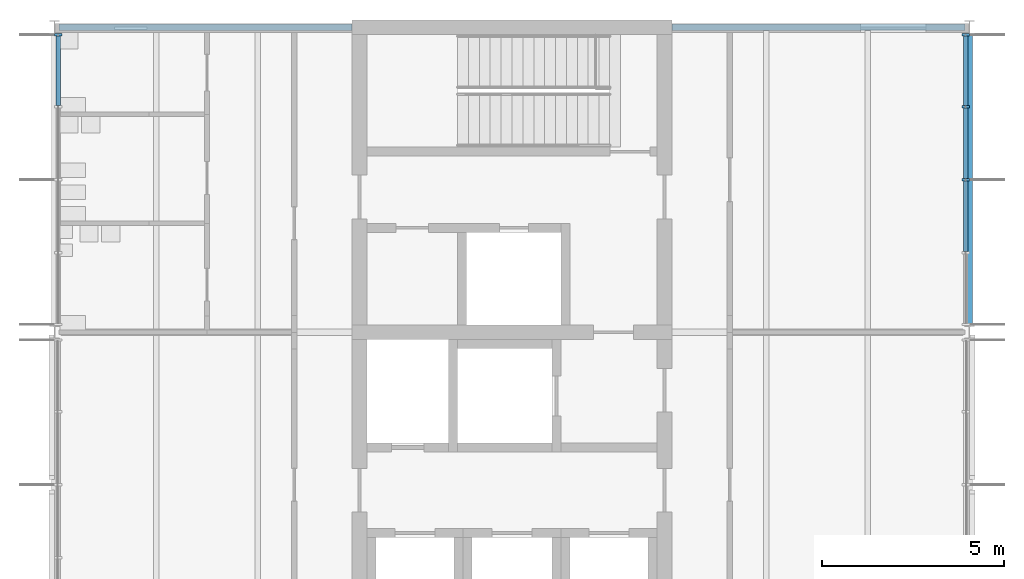
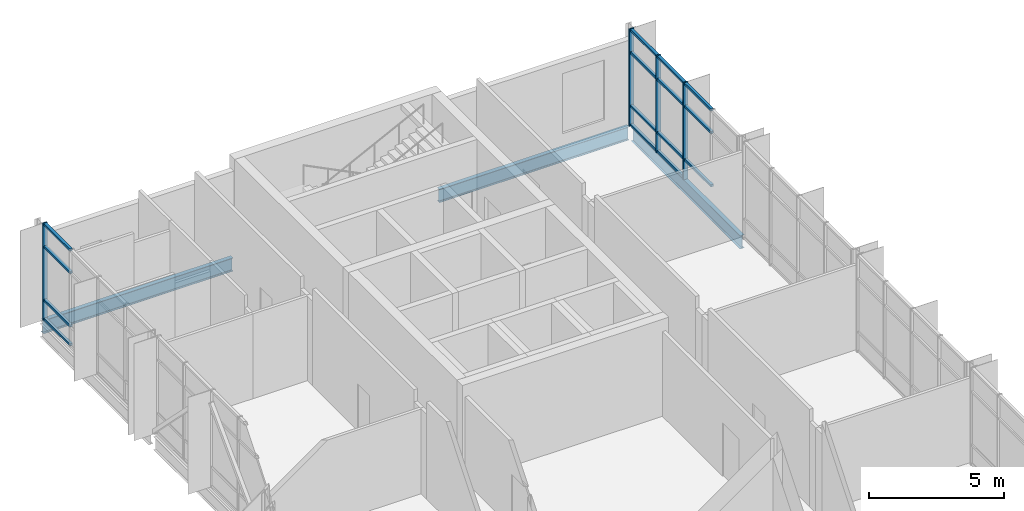
# One storey, part 6 of 17: 19 members, 3 beams, 2 elements without a shape of their own.
"""IFC4 building model written with IfcOpenShell, lengths in metres."""

from ifc_helpers import new_model, si_unit, direction, frame, origin, origin_2d, place, context, subcontext, project, spatial, rectangle, i_section, extrude, material, material_profile, profile_set, type_object, element, aggregate, save


model = new_model("IFC4")

# Units and contexts
model_context = context("Model", 3, precision=1e-05, world=origin(), true_north=direction((0.0, 1.0)))
body_context = subcontext(model_context, "Body", "Model", "MODEL_VIEW")
ifc_project = project(units=[si_unit("LENGTHUNIT", "METRE"), si_unit("AREAUNIT", "SQUARE_METRE"), si_unit("VOLUMEUNIT", "CUBIC_METRE"), si_unit("PLANEANGLEUNIT", "RADIAN"), si_unit("MASSUNIT", "GRAM", prefix="KILO")], contexts=[model_context])

# Site, building, storey
site_placement = place(None, origin())
site = spatial("IfcSite", under=ifc_project, at=site_placement, CompositionType="ELEMENT")
building_placement = place(site_placement, origin())
building = spatial("IfcBuilding", under=site, at=building_placement, Name="Hlaing Beacon Police Headquarters", CompositionType="ELEMENT")
storey_placement = place(building_placement, frame((0.0, 0.0, 36.89990234375)))
storey = spatial("IfcBuildingStorey", under=building, at=storey_placement, Name="L08", CompositionType="ELEMENT", Elevation=36.89990234375)

# Beams
ifc_material_1 = material(Name="Steel ASTM A992 Grade 50", Category="steel")
ifc_material_profile_1 = material_profile(ifc_material_1, i_section(OverallWidth=0.177978515625, OverallDepth=0.599365234375, WebThickness=0.010009765625, FlangeThickness=0.012939453125, FilletRadius=0.012939453125, at=origin_2d()), Name="W24x55")
ifc_profile_set_1 = profile_set([ifc_material_profile_1], Name="Steel ASTM A992 Grade 50")
beam_type = type_object("IfcBeamType", Name="Girder W24x55", PredefinedType="BEAM", material=ifc_profile_set_1)
for number, where, z_axis, x_axis, name in (
    (1, (100.927978515625, 67.199951171875, -0.4296875), (1.0, 0.0, 0.0), (0.0, 1.0, 0.0), "STR-BM-L08-GX-N9-P9"),
    (2, (117.800048828125, 67.199951171875, -0.4296875), (1.0, 0.0, 0.0), (0.0, 1.0, 0.0), "STR-BM-L08-GX-Q9-R9"),
):
    element("IfcBeam", number, at=place(storey_placement, frame(where, z_axis=z_axis, x_axis=x_axis)), inside=storey, type_object=beam_type, Name=name, PredefinedType="BEAM", context=body_context, shape_type="SweptSolid", body=[
        extrude(i_section(OverallWidth=0.177978515625, OverallDepth=0.599365234375, WebThickness=0.010009765625, FlangeThickness=0.012939453125, FilletRadius=0.012939453125, at=origin_2d()), origin(), (0.0, 0.0, 1.0), 8.072021484375),
    ])
beam_placement = place(storey_placement, frame((126.0, 58.97998046875, -0.4296875), z_axis=(0.0, 1.0, 0.0), x_axis=(-1.0, 0.0, 0.0)))
element("IfcBeam", 3, at=beam_placement, inside=storey, type_object=beam_type, Name="STR-BM-L08-GY-R8-R9", PredefinedType="BEAM", context=body_context, shape_type="SweptSolid", body=[
    extrude(i_section(OverallWidth=0.177978515625, OverallDepth=0.599365234375, WebThickness=0.010009765625, FlangeThickness=0.012939453125, FilletRadius=0.012939453125, at=origin_2d()), origin(), (0.0, 0.0, 1.0), 8.0400390625),
])

# Curtain wall, members
ifc_material_2 = material(Name="Aluminium frame with solar control glazing", Category="aluminium")
curtain_wall_type = type_object("IfcCurtainWallType", Name="Unitised curtain wall 8.04 x 4.37", PredefinedType="NOTDEFINED", material=ifc_material_2)
curtain_wall_1_placement = place(storey_placement, origin())
curtain_wall_1 = element("IfcCurtainWall", 4, at=curtain_wall_1_placement, inside=storey, type_object=curtain_wall_type, Name="ENV-CW-L08-E004", PredefinedType="NOTDEFINED")
ifc_material_3 = material(Name="Aluminium", Category="aluminium")
ifc_material_profile_2 = material_profile(ifc_material_3, rectangle(XDim=0.199951171875, YDim=0.06005859375, at=origin_2d()), Name="Mullion 60x200")
ifc_profile_set_2 = profile_set([ifc_material_profile_2], Name="Aluminium")
member_type_1 = type_object("IfcMemberType", Name="Mullion 60x200", PredefinedType="MULLION", material=ifc_profile_set_2)
member_1_placement = place(storey_placement, frame((125.89990234375, 63.00244140625, 0.0), z_axis=(0.0, 0.0, 1.0), x_axis=(-1.0, 0.0, 0.0)))
member_1 = element("IfcMember", 5, at=member_1_placement, type_object=member_type_1, Name="CW-L08-E004 mullion 3", PredefinedType="MULLION", context=body_context, shape_type="SweptSolid", body=[
    extrude(rectangle(XDim=0.199951171875, YDim=0.06005859375, at=origin_2d()), origin(), (0.0, 0.0, 1.0), 4.3701171875),
])
member_2_placement = place(storey_placement, frame((125.89990234375, 65.012939453125, 0.0), z_axis=(0.0, 0.0, 1.0), x_axis=(-1.0, 0.0, 0.0)))
member_2 = element("IfcMember", 6, at=member_2_placement, type_object=member_type_1, Name="CW-L08-E004 mullion 4", PredefinedType="MULLION", context=body_context, shape_type="SweptSolid", body=[
    extrude(rectangle(XDim=0.199951171875, YDim=0.06005859375, at=origin_2d()), origin(), (0.0, 0.0, 1.0), 4.3701171875),
])
member_3_placement = place(storey_placement, frame((125.89990234375, 66.993408203125, 0.0), z_axis=(0.0, 0.0, 1.0), x_axis=(-1.0, 0.0, 0.0)))
member_3 = element("IfcMember", 7, at=member_3_placement, type_object=member_type_1, Name="CW-L08-E004 mullion 5", PredefinedType="MULLION", context=body_context, shape_type="SweptSolid", body=[
    extrude(rectangle(XDim=0.199951171875, YDim=0.06005859375, at=origin_2d()), origin(), (0.0, 0.0, 1.0), 4.3701171875),
])

# Curtain wall, member
curtain_wall_2_placement = place(storey_placement, origin())
curtain_wall_2 = element("IfcCurtainWall", 8, at=curtain_wall_2_placement, inside=storey, type_object=curtain_wall_type, Name="ENV-CW-L08-W005", PredefinedType="NOTDEFINED")
member_4_placement = place(storey_placement, frame((100.89990234375, 66.993408203125, 0.0), z_axis=(0.0, 0.0, 1.0), x_axis=(1.0, 0.0, 0.0)))
member_4 = element("IfcMember", 9, at=member_4_placement, type_object=member_type_1, Name="CW-L08-W005 mullion 1", PredefinedType="MULLION", context=body_context, shape_type="SweptSolid", body=[
    extrude(rectangle(XDim=0.199951171875, YDim=0.06005859375, at=origin_2d()), origin(), (0.0, 0.0, 1.0), 4.3701171875),
])

# Member
ifc_material_4 = material(Name="Aluminium", Category="aluminium")
ifc_material_profile_3 = material_profile(ifc_material_4, rectangle(XDim=0.1201171875, YDim=0.10009765625, at=origin_2d()), Name="Transom 120x100")
ifc_profile_set_3 = profile_set([ifc_material_profile_3], Name="Aluminium")
member_type_2 = type_object("IfcMemberType", Name="Transom 120x100", PredefinedType="USERDEFINED", material=ifc_profile_set_3)
member_5_placement = place(storey_placement, frame((125.89990234375, 61.02197265625, 0.900146484375), z_axis=(0.0, 1.0, 0.0), x_axis=(-1.0, 0.0, 0.0)))
member_5 = element("IfcMember", 10, at=member_5_placement, type_object=member_type_2, Name="CW-L08-E004 transom 2.2", ObjectType="TRANSOM", PredefinedType="USERDEFINED", context=body_context, shape_type="SweptSolid", body=[
    extrude(rectangle(XDim=0.1201171875, YDim=0.10009765625, at=origin_2d()), origin(), (0.0, 0.0, 1.0), 1.95068359375),
])

member_6_placement = place(storey_placement, frame((125.89990234375, 61.02197265625, 3.300048828125), z_axis=(0.0, 1.0, 0.0), x_axis=(-1.0, 0.0, 0.0)))
member_6 = element("IfcMember", 11, at=member_6_placement, type_object=member_type_2, Name="CW-L08-E004 transom 2.3", ObjectType="TRANSOM", PredefinedType="USERDEFINED", context=body_context, shape_type="SweptSolid", body=[
    extrude(rectangle(XDim=0.1201171875, YDim=0.10009765625, at=origin_2d()), origin(), (0.0, 0.0, 1.0), 1.95068359375),
])

member_7_placement = place(storey_placement, frame((125.89990234375, 61.02197265625, 4.320068359375), z_axis=(0.0, 1.0, 0.0), x_axis=(-1.0, 0.0, 0.0)))
member_7 = element("IfcMember", 12, at=member_7_placement, type_object=member_type_2, Name="CW-L08-E004 transom 2.4", ObjectType="TRANSOM", PredefinedType="USERDEFINED", context=body_context, shape_type="SweptSolid", body=[
    extrude(rectangle(XDim=0.1201171875, YDim=0.10009765625, at=origin_2d()), origin(), (0.0, 0.0, 1.0), 1.95068359375),
])

member_8_placement = place(storey_placement, frame((125.89990234375, 63.032470703125, 0.050048828125), z_axis=(0.0, 1.0, 0.0), x_axis=(-1.0, 0.0, 0.0)))
member_8 = element("IfcMember", 13, at=member_8_placement, type_object=member_type_2, Name="CW-L08-E004 transom 3.1", ObjectType="TRANSOM", PredefinedType="USERDEFINED", context=body_context, shape_type="SweptSolid", body=[
    extrude(rectangle(XDim=0.1201171875, YDim=0.10009765625, at=origin_2d()), origin(), (0.0, 0.0, 1.0), 1.950439453125),
])

member_9_placement = place(storey_placement, frame((125.89990234375, 63.032470703125, 0.900146484375), z_axis=(0.0, 1.0, 0.0), x_axis=(-1.0, 0.0, 0.0)))
member_9 = element("IfcMember", 14, at=member_9_placement, type_object=member_type_2, Name="CW-L08-E004 transom 3.2", ObjectType="TRANSOM", PredefinedType="USERDEFINED", context=body_context, shape_type="SweptSolid", body=[
    extrude(rectangle(XDim=0.1201171875, YDim=0.10009765625, at=origin_2d()), origin(), (0.0, 0.0, 1.0), 1.950439453125),
])

member_10_placement = place(storey_placement, frame((125.89990234375, 63.032470703125, 3.300048828125), z_axis=(0.0, 1.0, 0.0), x_axis=(-1.0, 0.0, 0.0)))
member_10 = element("IfcMember", 15, at=member_10_placement, type_object=member_type_2, Name="CW-L08-E004 transom 3.3", ObjectType="TRANSOM", PredefinedType="USERDEFINED", context=body_context, shape_type="SweptSolid", body=[
    extrude(rectangle(XDim=0.1201171875, YDim=0.10009765625, at=origin_2d()), origin(), (0.0, 0.0, 1.0), 1.950439453125),
])

member_11_placement = place(storey_placement, frame((125.89990234375, 63.032470703125, 4.320068359375), z_axis=(0.0, 1.0, 0.0), x_axis=(-1.0, 0.0, 0.0)))
member_11 = element("IfcMember", 16, at=member_11_placement, type_object=member_type_2, Name="CW-L08-E004 transom 3.4", ObjectType="TRANSOM", PredefinedType="USERDEFINED", context=body_context, shape_type="SweptSolid", body=[
    extrude(rectangle(XDim=0.1201171875, YDim=0.10009765625, at=origin_2d()), origin(), (0.0, 0.0, 1.0), 1.950439453125),
])

member_12_placement = place(storey_placement, frame((125.89990234375, 65.04296875, 0.050048828125), z_axis=(0.0, 1.0, 0.0), x_axis=(-1.0, 0.0, 0.0)))
member_12 = element("IfcMember", 17, at=member_12_placement, type_object=member_type_2, Name="CW-L08-E004 transom 4.1", ObjectType="TRANSOM", PredefinedType="USERDEFINED", context=body_context, shape_type="SweptSolid", body=[
    extrude(rectangle(XDim=0.1201171875, YDim=0.10009765625, at=origin_2d()), origin(), (0.0, 0.0, 1.0), 1.92041015625),
])

member_13_placement = place(storey_placement, frame((125.89990234375, 65.04296875, 0.900146484375), z_axis=(0.0, 1.0, 0.0), x_axis=(-1.0, 0.0, 0.0)))
member_13 = element("IfcMember", 18, at=member_13_placement, type_object=member_type_2, Name="CW-L08-E004 transom 4.2", ObjectType="TRANSOM", PredefinedType="USERDEFINED", context=body_context, shape_type="SweptSolid", body=[
    extrude(rectangle(XDim=0.1201171875, YDim=0.10009765625, at=origin_2d()), origin(), (0.0, 0.0, 1.0), 1.92041015625),
])

member_14_placement = place(storey_placement, frame((125.89990234375, 65.04296875, 3.300048828125), z_axis=(0.0, 1.0, 0.0), x_axis=(-1.0, 0.0, 0.0)))
member_14 = element("IfcMember", 19, at=member_14_placement, type_object=member_type_2, Name="CW-L08-E004 transom 4.3", ObjectType="TRANSOM", PredefinedType="USERDEFINED", context=body_context, shape_type="SweptSolid", body=[
    extrude(rectangle(XDim=0.1201171875, YDim=0.10009765625, at=origin_2d()), origin(), (0.0, 0.0, 1.0), 1.92041015625),
])

member_15_placement = place(storey_placement, frame((125.89990234375, 65.04296875, 4.320068359375), z_axis=(0.0, 1.0, 0.0), x_axis=(-1.0, 0.0, 0.0)))
member_15 = element("IfcMember", 20, at=member_15_placement, type_object=member_type_2, Name="CW-L08-E004 transom 4.4", ObjectType="TRANSOM", PredefinedType="USERDEFINED", context=body_context, shape_type="SweptSolid", body=[
    extrude(rectangle(XDim=0.1201171875, YDim=0.10009765625, at=origin_2d()), origin(), (0.0, 0.0, 1.0), 1.92041015625),
])

aggregate(curtain_wall_1, [member_1, member_2, member_3, member_5, member_6, member_7, member_8, member_9, member_10, member_11, member_12, member_13, member_14, member_15])

member_16_placement = place(storey_placement, frame((100.89990234375, 66.96337890625, 0.050048828125), z_axis=(0.0, -1.0, 0.0), x_axis=(1.0, 0.0, 0.0)))
member_16 = element("IfcMember", 21, at=member_16_placement, type_object=member_type_2, Name="CW-L08-W005 transom 1.1", ObjectType="TRANSOM", PredefinedType="USERDEFINED", context=body_context, shape_type="SweptSolid", body=[
    extrude(rectangle(XDim=0.1201171875, YDim=0.10009765625, at=origin_2d()), origin(), (0.0, 0.0, 1.0), 1.92041015625),
])

member_17_placement = place(storey_placement, frame((100.89990234375, 66.96337890625, 0.900146484375), z_axis=(0.0, -1.0, 0.0), x_axis=(1.0, 0.0, 0.0)))
member_17 = element("IfcMember", 22, at=member_17_placement, type_object=member_type_2, Name="CW-L08-W005 transom 1.2", ObjectType="TRANSOM", PredefinedType="USERDEFINED", context=body_context, shape_type="SweptSolid", body=[
    extrude(rectangle(XDim=0.1201171875, YDim=0.10009765625, at=origin_2d()), origin(), (0.0, 0.0, 1.0), 1.92041015625),
])

member_18_placement = place(storey_placement, frame((100.89990234375, 66.96337890625, 3.300048828125), z_axis=(0.0, -1.0, 0.0), x_axis=(1.0, 0.0, 0.0)))
member_18 = element("IfcMember", 23, at=member_18_placement, type_object=member_type_2, Name="CW-L08-W005 transom 1.3", ObjectType="TRANSOM", PredefinedType="USERDEFINED", context=body_context, shape_type="SweptSolid", body=[
    extrude(rectangle(XDim=0.1201171875, YDim=0.10009765625, at=origin_2d()), origin(), (0.0, 0.0, 1.0), 1.92041015625),
])

member_19_placement = place(storey_placement, frame((100.89990234375, 66.96337890625, 4.320068359375), z_axis=(0.0, -1.0, 0.0), x_axis=(1.0, 0.0, 0.0)))
member_19 = element("IfcMember", 24, at=member_19_placement, type_object=member_type_2, Name="CW-L08-W005 transom 1.4", ObjectType="TRANSOM", PredefinedType="USERDEFINED", context=body_context, shape_type="SweptSolid", body=[
    extrude(rectangle(XDim=0.1201171875, YDim=0.10009765625, at=origin_2d()), origin(), (0.0, 0.0, 1.0), 1.92041015625),
])

aggregate(curtain_wall_2, [member_4, member_16, member_17, member_18, member_19])

save(model, "model.ifc")
